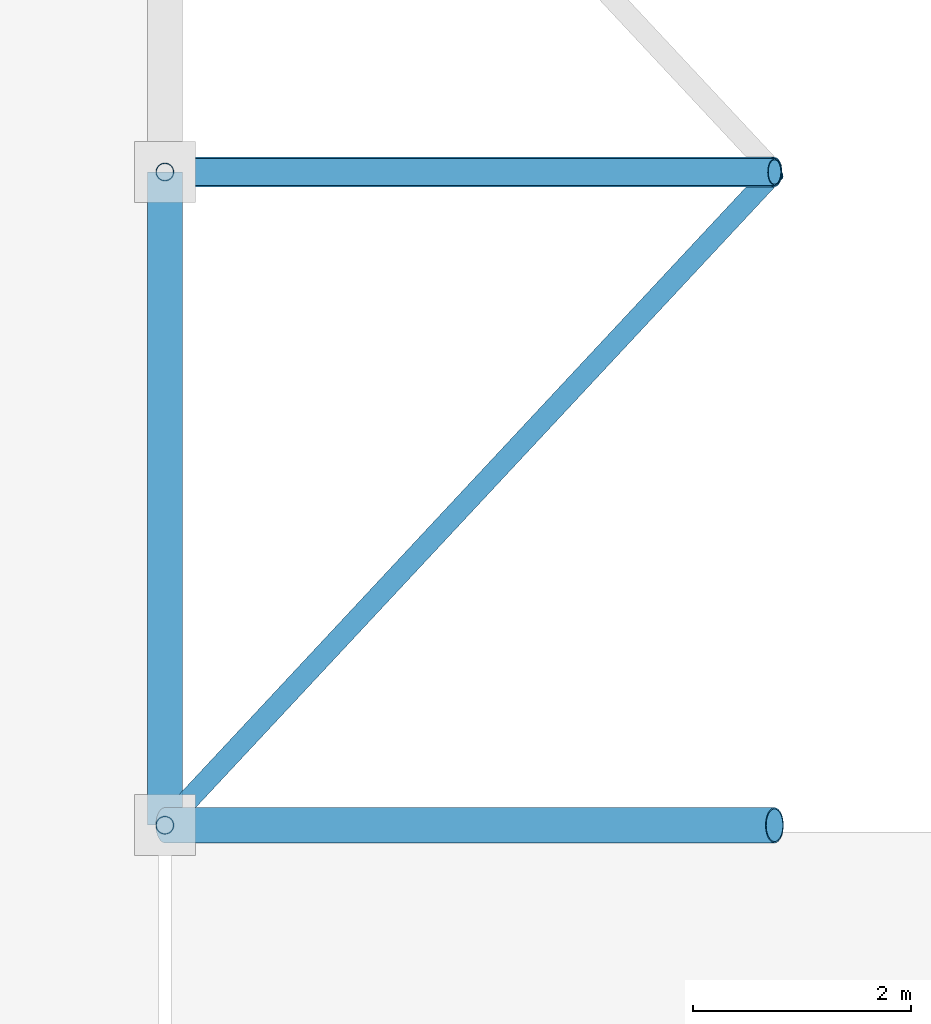
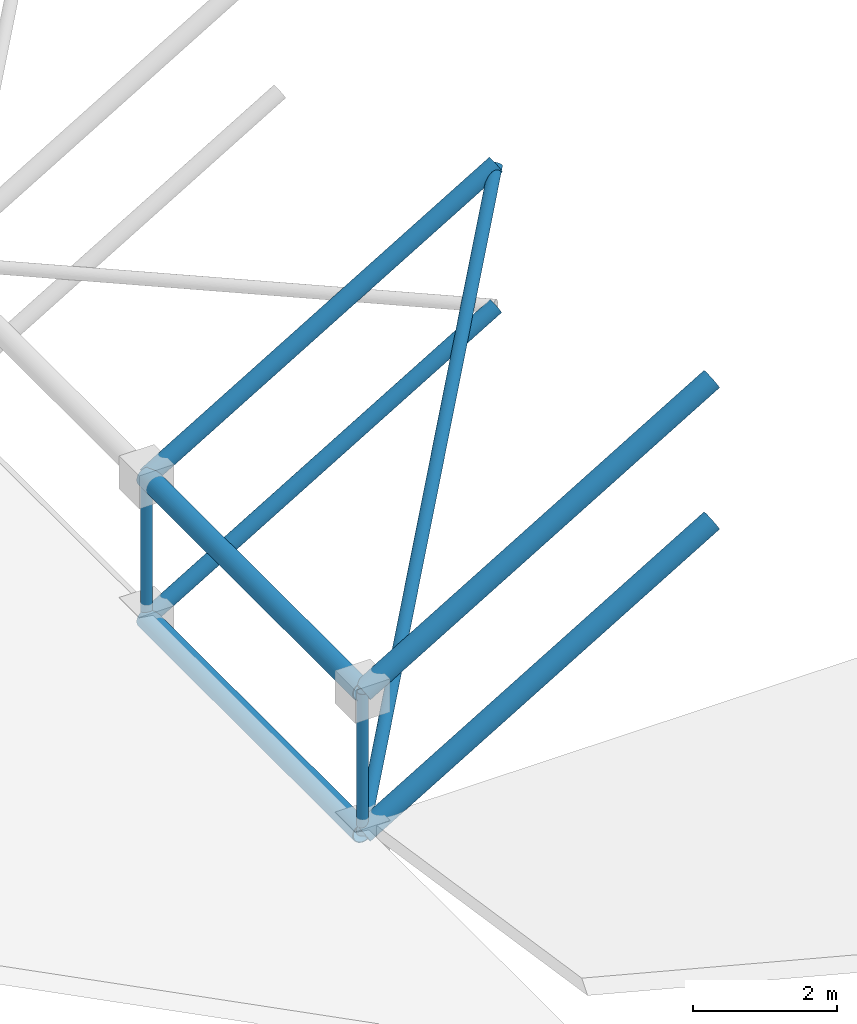
# One storey, part 88 of 148: 9 members.
"""IFC4 building model written with IfcOpenShell, lengths in metres."""

from ifc_helpers import new_model, si_unit, direction, frame, origin, origin_2d, place, context, subcontext, project, spatial, hollow_circle, extrude, material, material_profile, profile_set, type_object, element, save


model = new_model("IFC4")

# Units and contexts
model_context = context("Model", 3, precision=1e-05, world=origin(), true_north=direction((0.0, 1.0)))
body_context = subcontext(model_context, "Body", "Model", "MODEL_VIEW")
ifc_project = project(units=[si_unit("LENGTHUNIT", "METRE"), si_unit("AREAUNIT", "SQUARE_METRE"), si_unit("VOLUMEUNIT", "CUBIC_METRE"), si_unit("PLANEANGLEUNIT", "RADIAN"), si_unit("MASSUNIT", "GRAM", prefix="KILO")], contexts=[model_context])

# Site, building, storey
site_placement = place(None, origin())
site = spatial("IfcSite", under=ifc_project, at=site_placement, CompositionType="ELEMENT")
building_placement = place(site_placement, origin())
building = spatial("IfcBuilding", under=site, at=building_placement, Name="Trelvath General Hospital", CompositionType="ELEMENT")
storey_placement = place(building_placement, frame((0.0, 0.0, 12.89990234375)))
storey = spatial("IfcBuildingStorey", under=building, at=storey_placement, Name="L03", CompositionType="ELEMENT", Elevation=12.89990234375)

# Members
ifc_material_1 = material(Name="Steel S355", Category="steel")
ifc_material_profile_1 = material_profile(ifc_material_1, hollow_circle(Radius=0.122314453125, WallThickness=0.010009765625, at=origin_2d()), Name="CHS244.5x10.0")
ifc_profile_set_1 = profile_set([ifc_material_profile_1], Name="Steel S355")
member_type_1 = type_object("IfcMemberType", Name="SpaceFrameBottomChord CHS244", PredefinedType="CHORD", material=ifc_profile_set_1)
member_1_placement = place(storey_placement, frame((142.800048828125, 31.199951171875, 0.0), z_axis=(0.859276026628, 0.0, 0.511512179779), x_axis=(0.0, 1.0, 0.0)))
element("IfcMember", 1, at=member_1_placement, inside=storey, type_object=member_type_1, Name="Space Frame Bottom Chord X 1-2", PredefinedType="CHORD", context=body_context, shape_type="SweptSolid", body=[
    extrude(hollow_circle(Radius=0.122314453125, WallThickness=0.010009765625, at=origin_2d()), origin(), (0.0, 0.0, 1.0), 6.516845703125),
])
ifc_material_2 = material(Name="Steel S355", Category="steel")
ifc_material_profile_2 = material_profile(ifc_material_2, hollow_circle(Radius=0.096923828125, WallThickness=0.008056640625, at=origin_2d()), Name="CHS193.7x8.0")
ifc_profile_set_2 = profile_set([ifc_material_profile_2], Name="Steel S355")
member_type_2 = type_object("IfcMemberType", Name="SpaceFrameDiagHeavy CHS193", PredefinedType="BRACE", material=ifc_profile_set_2)
member_2_placement = place(storey_placement, frame((142.800048828125, 25.199951171875, 0.0), z_axis=(0.559341871551, 0.599310539095, 0.572681018071), x_axis=(-0.731064171106, 0.682308711453, 0.0)))
element("IfcMember", 2, at=member_2_placement, inside=storey, type_object=member_type_2, Name="Space Frame Web Diagonal A 1-1", PredefinedType="BRACE", context=body_context, shape_type="SweptSolid", body=[
    extrude(hollow_circle(Radius=0.096923828125, WallThickness=0.008056640625, at=origin_2d()), origin(), (0.0, 0.0, 1.0), 10.011474609375),
])
ifc_material_3 = material(Name="Steel S355", Category="steel")
ifc_material_profile_3 = material_profile(ifc_material_3, hollow_circle(Radius=0.084228515625, WallThickness=0.008056640625, at=origin_2d()), Name="CHS168.3x8.0")
ifc_profile_set_3 = profile_set([ifc_material_profile_3], Name="Steel S355")
member_type_3 = type_object("IfcMemberType", Name="SpaceFrameDiagStd CHS168", PredefinedType="BRACE", material=ifc_profile_set_3)
for number, where, z_axis, x_axis, name in (
    (3, (142.800048828125, 25.199951171875, 0.0), (0.0, 0.0, 1.0), (1.0, 0.0, 0.0), "Space Frame Web Post 1-1"),
    (4, (142.800048828125, 31.199951171875, 0.0), (0.0, 0.0, 1.0), (1.0, 0.0, 0.0), "Space Frame Web Post 1-2"),
):
    element("IfcMember", number, at=place(storey_placement, frame(where, z_axis=z_axis, x_axis=x_axis)), inside=storey, type_object=member_type_3, Name=name, PredefinedType="BRACE", context=body_context, shape_type="SweptSolid", body=[
        extrude(hollow_circle(Radius=0.084228515625, WallThickness=0.008056640625, at=origin_2d()), origin(), (0.0, 0.0, 1.0), 2.400146484375),
    ])
ifc_material_4 = material(Name="Steel S355", Category="steel")
ifc_material_profile_4 = material_profile(ifc_material_4, hollow_circle(Radius=0.161865234375, WallThickness=0.012451171875, at=origin_2d()), Name="CHS323.9x12.5")
ifc_profile_set_4 = profile_set([ifc_material_profile_4], Name="Steel S355")
member_type_4 = type_object("IfcMemberType", Name="SpaceFrameEdgeChord CHS323", PredefinedType="CHORD", material=ifc_profile_set_4)
for number, where, z_axis, x_axis, name in (
    (5, (142.800048828125, 25.199951171875, 0.0), (0.859276026628, 0.0, 0.511512179779), (0.0, 1.0, 0.0), "Space Frame Bottom Chord X 1-1"),
    (6, (142.800048828125, 25.199951171875, 2.400146484375), (0.859292492371, 0.0, 0.511484518392), (0.0, 1.0, 0.0), "Space Frame Top Chord X 1-1"),
):
    element("IfcMember", number, at=place(storey_placement, frame(where, z_axis=z_axis, x_axis=x_axis)), inside=storey, type_object=member_type_4, Name=name, PredefinedType="CHORD", context=body_context, shape_type="SweptSolid", body=[
        extrude(hollow_circle(Radius=0.161865234375, WallThickness=0.012451171875, at=origin_2d()), origin(), (0.0, 0.0, 1.0), 6.516845703125),
    ])
for number, where, z_axis, x_axis, name in (
    (7, (142.800048828125, 25.199951171875, 0.0), (0.0, 1.0, 0.0), (-1.0, 0.0, 0.0), "Space Frame Bottom Chord Y 1-1"),
    (8, (142.800048828125, 25.199951171875, 2.400146484375), (0.0, 1.0, 0.0), (-1.0, 0.0, 0.0), "Space Frame Top Chord Y 1-1"),
):
    element("IfcMember", number, at=place(storey_placement, frame(where, z_axis=z_axis, x_axis=x_axis)), inside=storey, type_object=member_type_4, Name=name, PredefinedType="CHORD", context=body_context, shape_type="SweptSolid", body=[
        extrude(hollow_circle(Radius=0.161865234375, WallThickness=0.012451171875, at=origin_2d()), origin(), (0.0, 0.0, 1.0), 6.0),
    ])
ifc_material_5 = material(Name="Steel S355", Category="steel")
ifc_material_profile_5 = material_profile(ifc_material_5, hollow_circle(Radius=0.136474609375, WallThickness=0.012451171875, at=origin_2d()), Name="CHS273.0x12.5")
ifc_profile_set_5 = profile_set([ifc_material_profile_5], Name="Steel S355")
member_type_5 = type_object("IfcMemberType", Name="SpaceFrameTopChord CHS273", PredefinedType="CHORD", material=ifc_profile_set_5)
member_3_placement = place(storey_placement, frame((142.800048828125, 31.199951171875, 2.400146484375), z_axis=(0.859292492371, 0.0, 0.511484518392), x_axis=(0.0, 1.0, 0.0)))
element("IfcMember", 9, at=member_3_placement, inside=storey, type_object=member_type_5, Name="Space Frame Top Chord X 1-2", PredefinedType="CHORD", context=body_context, shape_type="SweptSolid", body=[
    extrude(hollow_circle(Radius=0.136474609375, WallThickness=0.012451171875, at=origin_2d()), origin(), (0.0, 0.0, 1.0), 6.516845703125),
])

save(model, "model.ifc")
